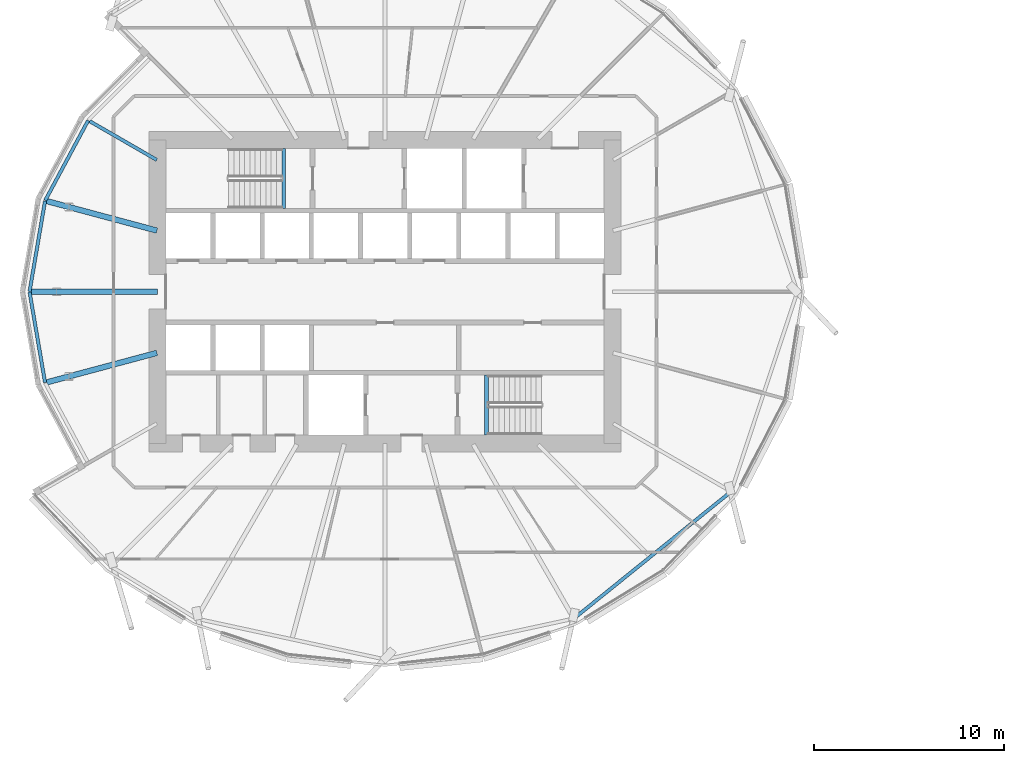
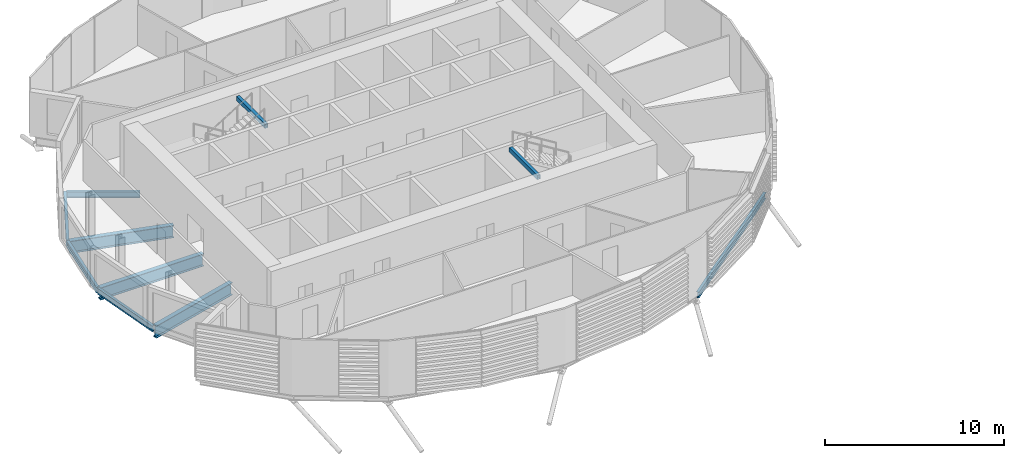
# One storey, part 5 of 36: 10 beams.
"""IFC4 building model written with IfcOpenShell, lengths in metres."""

from ifc_helpers import new_model, si_unit, direction, frame, origin, origin_2d, place, context, subcontext, project, spatial, hollow_rectangle, i_section, extrude, material, material_profile, profile_set, type_object, element, save


model = new_model("IFC4")

# Units and contexts
model_context = context("Model", 3, precision=1e-05, world=origin(), true_north=direction((0.0, 1.0)))
body_context = subcontext(model_context, "Body", "Model", "MODEL_VIEW")
ifc_project = project(units=[si_unit("LENGTHUNIT", "METRE"), si_unit("AREAUNIT", "SQUARE_METRE"), si_unit("VOLUMEUNIT", "CUBIC_METRE"), si_unit("PLANEANGLEUNIT", "RADIAN"), si_unit("MASSUNIT", "GRAM", prefix="KILO")], contexts=[model_context])

# Site, building, storey
site_placement = place(None, origin())
site = spatial("IfcSite", under=ifc_project, at=site_placement, CompositionType="ELEMENT")
building_placement = place(site_placement, origin())
building = spatial("IfcBuilding", under=site, at=building_placement, Name="Rimbun Link Towers", CompositionType="ELEMENT")
storey_placement = place(building_placement, frame((0.0, 0.0, 37.60009765625)))
storey = spatial("IfcBuildingStorey", under=building, at=storey_placement, Name="L08", CompositionType="ELEMENT", Elevation=37.60009765625)

# Beams
ifc_material_1 = material(Name="Steel S355J2", Category="steel")
ifc_material_profile_1 = material_profile(ifc_material_1, hollow_rectangle(XDim=0.199951171875, YDim=0.300048828125, WallThickness=0.011962890625, at=origin_2d()), Name="BOX 300x200x12")
ifc_profile_set_1 = profile_set([ifc_material_profile_1], Name="Steel S355J2")
beam_type_1 = type_object("IfcBeamType", Name="Stair trimmer beam BOX 300x200x12", PredefinedType="BEAM", material=ifc_profile_set_1)
for number, where, z_axis, x_axis, name in (
    (1, (-37.10009765625, 7.550048828125, 3.489990234375), (0.0, -1.0, 0.0), (1.0, 0.0, 0.0), "L08 ST1 stair beam 1"),
    (2, (-26.39990234375, -7.550048828125, 3.489990234375), (0.0, 1.0, 0.0), (-1.0, 0.0, 0.0), "L08 ST2 stair beam 1"),
):
    element("IfcBeam", number, at=place(storey_placement, frame(where, z_axis=z_axis, x_axis=x_axis)), inside=storey, type_object=beam_type_1, Name=name, PredefinedType="BEAM", context=body_context, shape_type="SweptSolid", body=[
        extrude(hollow_rectangle(XDim=0.199951171875, YDim=0.300048828125, WallThickness=0.011962890625, at=origin_2d()), origin(), (0.0, 0.0, 1.0), 3.150146484375),
    ])
ifc_material_2 = material(Name="Steel S355J2", Category="steel")
ifc_material_profile_2 = material_profile(ifc_material_2, i_section(OverallWidth=0.177978515625, OverallDepth=0.406494140625, WebThickness=0.0078125, FlangeThickness=0.0126953125, at=origin_2d()), Name="UB 406x178x60")
ifc_profile_set_2 = profile_set([ifc_material_profile_2], Name="Steel S355J2")
beam_type_2 = type_object("IfcBeamType", Name="UB 406x178x60", PredefinedType="BEAM", material=ifc_profile_set_2)
beam_1_placement = place(storey_placement, frame((-43.79541015625, 6.954345703125, -0.36328125), z_axis=(-0.866017439413, 0.500013794443, 0.0), x_axis=(-0.500013794443, -0.866017439413, 0.0)))
element("IfcBeam", 3, at=beam_1_placement, inside=storey, type_object=beam_type_2, Name="Radial beam T1 L08 10", PredefinedType="BEAM", context=body_context, shape_type="SweptSolid", body=[
    extrude(i_section(OverallWidth=0.177978515625, OverallDepth=0.406494140625, WebThickness=0.0078125, FlangeThickness=0.0126953125, at=origin_2d()), origin(), (0.0, 0.0, 1.0), 4.08642578125),
])
beam_2_placement = place(storey_placement, frame((-47.41943359375, 9.030517578125, -0.36328125), z_axis=(-0.473136917204, -0.880988908885, 0.0), x_axis=(0.880988908885, -0.473136917204, 0.0)))
element("IfcBeam", 4, at=beam_2_placement, inside=storey, type_object=beam_type_2, Name="Edge beam T1 L08 10 recess", PredefinedType="BEAM", context=body_context, shape_type="SweptSolid", body=[
    extrude(i_section(OverallWidth=0.177978515625, OverallDepth=0.406494140625, WebThickness=0.0078125, FlangeThickness=0.0126953125, at=origin_2d()), origin(), (0.0, 0.0, 1.0), 4.779296875),
])
for number, where, z_axis, x_axis, name in (
    (5, (-49.6904296875, 4.791259765625, -0.36328125), (-0.168426648722, -0.985714189814, 0.0), (0.985714189814, -0.168426648722, 0.0), "Edge beam T1 L08 11 recess"),
    (6, (-50.50634765625, -0.01611328125, -0.36328125), (0.168426648722, -0.985714189814, 0.0), (0.985714189814, 0.168426648722, 0.0), "Edge beam T1 L08 12 recess"),
):
    element("IfcBeam", number, at=place(storey_placement, frame(where, z_axis=z_axis, x_axis=x_axis)), inside=storey, type_object=beam_type_2, Name=name, PredefinedType="BEAM", context=body_context, shape_type="SweptSolid", body=[
        extrude(i_section(OverallWidth=0.177978515625, OverallDepth=0.406494140625, WebThickness=0.0078125, FlangeThickness=0.0126953125, at=origin_2d()), origin(), (0.0, 0.0, 1.0), 4.84423828125),
    ])
beam_3_placement = place(storey_placement, frame((-21.701171875, -17.175537109375, -0.36328125), z_axis=(0.778016648359, 0.628243658843, 0.0), x_axis=(-0.628243658843, 0.778016648359, 0.0)))
element("IfcBeam", 7, at=beam_3_placement, inside=storey, type_object=beam_type_2, Name="Edge beam T1 L08 20-22", PredefinedType="BEAM", context=body_context, shape_type="SweptSolid", body=[
    extrude(i_section(OverallWidth=0.177978515625, OverallDepth=0.406494140625, WebThickness=0.0078125, FlangeThickness=0.0126953125, at=origin_2d()), origin(), (0.0, 0.0, 1.0), 10.460205078125),
])
ifc_material_3 = material(Name="Steel S355J2", Category="steel")
ifc_material_profile_3 = material_profile(ifc_material_3, i_section(OverallWidth=0.29248046875, OverallDepth=0.8408203125, WebThickness=0.0126953125, FlangeThickness=0.021728515625, at=origin_2d()), Name="UB 838x292x194")
ifc_profile_set_3 = profile_set([ifc_material_profile_3], Name="Steel S355J2")
beam_type_3 = type_object("IfcBeamType", Name="UB 838x292x194", PredefinedType="BEAM", material=ifc_profile_set_3)
beam_4_placement = place(storey_placement, frame((-43.788818359375, 3.225830078125, -0.580322265625), z_axis=(-0.96592378205, 0.258826674187, 0.0), x_axis=(-0.258826674187, -0.96592378205, 0.0)))
element("IfcBeam", 8, at=beam_4_placement, inside=storey, type_object=beam_type_3, Name="Radial beam T1 L08 11", PredefinedType="BEAM", context=body_context, shape_type="SweptSolid", body=[
    extrude(i_section(OverallWidth=0.29248046875, OverallDepth=0.8408203125, WebThickness=0.0126953125, FlangeThickness=0.021728515625, at=origin_2d()), origin(), (0.0, 0.0, 1.0), 6.01708984375),
])
beam_5_placement = place(storey_placement, frame((-43.7509765625, 0.0, -0.580322265625), z_axis=(-1.0, 0.0, 0.0), x_axis=(0.0, -1.0, 0.0)))
element("IfcBeam", 9, at=beam_5_placement, inside=storey, type_object=beam_type_3, Name="Radial beam T1 L08 12", PredefinedType="BEAM", context=body_context, shape_type="SweptSolid", body=[
    extrude(i_section(OverallWidth=0.29248046875, OverallDepth=0.8408203125, WebThickness=0.0126953125, FlangeThickness=0.021728515625, at=origin_2d()), origin(), (0.0, 0.0, 1.0), 6.668212890625),
])
beam_6_placement = place(storey_placement, frame((-43.788818359375, -3.225830078125, -0.580322265625), z_axis=(-0.96592378205, -0.258826674187, 0.0), x_axis=(0.258826674187, -0.96592378205, 0.0)))
element("IfcBeam", 10, at=beam_6_placement, inside=storey, type_object=beam_type_3, Name="Radial beam T1 L08 13", PredefinedType="BEAM", context=body_context, shape_type="SweptSolid", body=[
    extrude(i_section(OverallWidth=0.29248046875, OverallDepth=0.8408203125, WebThickness=0.0126953125, FlangeThickness=0.021728515625, at=origin_2d()), origin(), (0.0, 0.0, 1.0), 6.01708984375),
])

save(model, "model.ifc")
